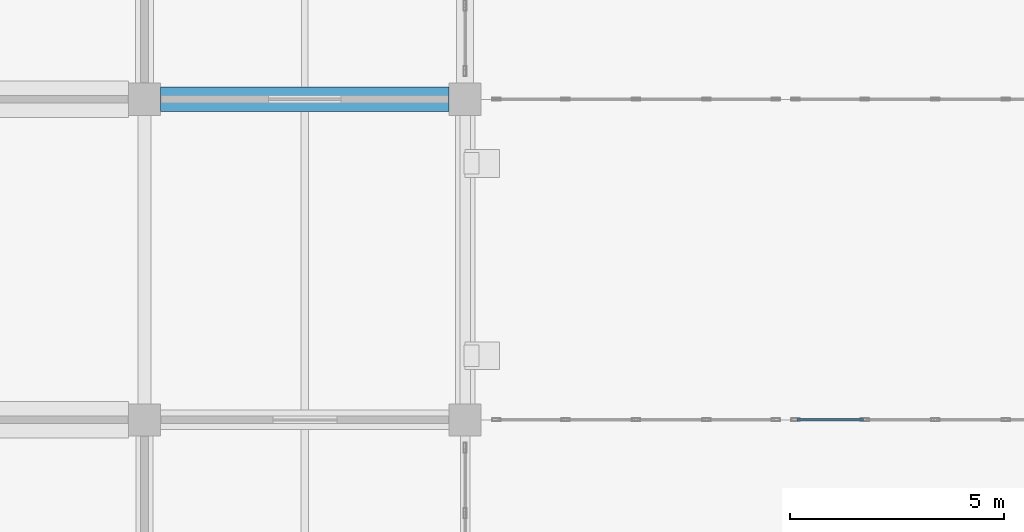
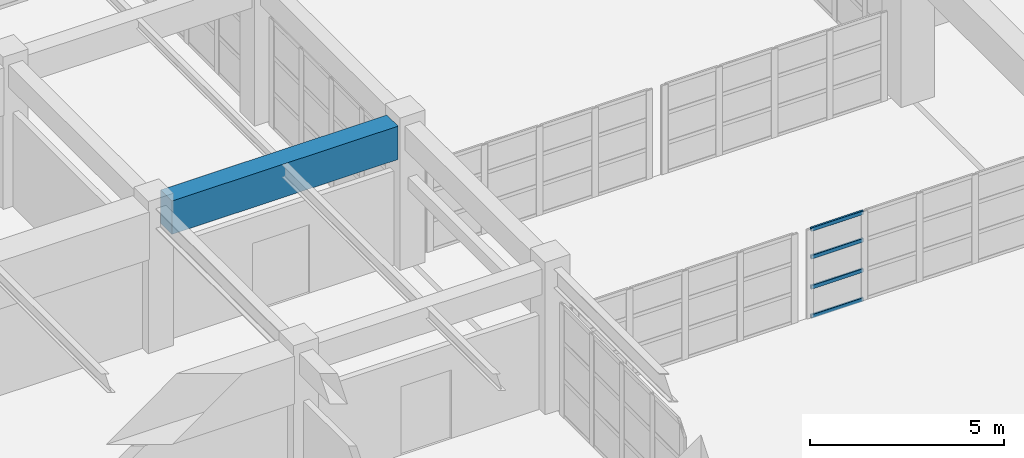
# One storey, part 16 of 122: 4 members, 1 beam, 1 element without a shape of its own.
"""IFC4 building model written with IfcOpenShell, lengths in metres."""

from ifc_helpers import new_model, si_unit, direction, frame, origin, origin_2d, place, context, subcontext, project, spatial, rectangle, hollow_rectangle, extrude, material, material_profile, profile_set, type_object, element, aggregate, save


model = new_model("IFC4")

# Units and contexts
model_context = context("Model", 3, precision=1e-05, world=origin(), true_north=direction((0.0, 1.0)))
body_context = subcontext(model_context, "Body", "Model", "MODEL_VIEW")
ifc_project = project(units=[si_unit("LENGTHUNIT", "METRE"), si_unit("AREAUNIT", "SQUARE_METRE"), si_unit("VOLUMEUNIT", "CUBIC_METRE"), si_unit("PLANEANGLEUNIT", "RADIAN"), si_unit("MASSUNIT", "GRAM", prefix="KILO")], contexts=[model_context])

# Site, building, storey
site_placement = place(None, origin())
site = spatial("IfcSite", under=ifc_project, at=site_placement, CompositionType="ELEMENT")
building_placement = place(site_placement, origin())
building = spatial("IfcBuilding", under=site, at=building_placement, Name="Qasida Concert Hall", CompositionType="ELEMENT")
storey_placement = place(building_placement, origin())
storey = spatial("IfcBuildingStorey", under=building, at=storey_placement, Name="L00", CompositionType="ELEMENT", Elevation=0.0)

# Beam
ifc_material_1 = material(Name="Concrete C50/60", Category="concrete")
ifc_material_profile_1 = material_profile(ifc_material_1, rectangle(XDim=0.580078125, YDim=1.050048828125, at=origin_2d()), Name="RC 580x1050")
ifc_profile_set_1 = profile_set([ifc_material_profile_1], Name="Concrete C50/60")
beam_type = type_object("IfcBeamType", Name="BM-G8", PredefinedType="USERDEFINED", material=ifc_profile_set_1)
beam_placement = place(storey_placement, frame((30.375, 37.5, 3.97509765625), z_axis=(1.0, 0.0, 0.0), x_axis=(0.0, 1.0, 0.0)))
element("IfcBeam", 1, at=beam_placement, inside=storey, type_object=beam_type, Name="Primary girder 0525", ObjectType="GIRDER", PredefinedType="USERDEFINED", context=body_context, shape_type="SweptSolid", body=[
    extrude(rectangle(XDim=0.580078125, YDim=1.050048828125, at=origin_2d()), origin(), (0.0, 0.0, 1.0), 6.75),
])

# Curtain wall, members
ifc_material_2 = material(Name="Architectural bronze-anodized aluminium and low-E glass", Category="aluminium")
curtain_wall_type = type_object("IfcCurtainWallType", Name="CW-08", PredefinedType="NOTDEFINED", material=ifc_material_2)
curtain_wall_placement = place(storey_placement, origin())
curtain_wall = element("IfcCurtainWall", 2, at=curtain_wall_placement, inside=storey, type_object=curtain_wall_type, Name="L00 link bridge glazing 0196", PredefinedType="NOTDEFINED")
ifc_material_3 = material(Name="Architectural bronze-anodized aluminium EN AW-6063", Category="aluminium")
ifc_material_profile_2 = material_profile(ifc_material_3, hollow_rectangle(XDim=0.06005859375, YDim=0.1201171875, WallThickness=0.00390625, InnerFilletRadius=0.00390625, OuterFilletRadius=0.008056640625, at=origin_2d()), Name="CWT 120x60x4")
ifc_profile_set_2 = profile_set([ifc_material_profile_2], Name="Architectural bronze-anodized aluminium EN AW-6063")
member_type = type_object("IfcMemberType", Name="MB-CWT-2", PredefinedType="USERDEFINED", material=ifc_profile_set_2)
member_1_placement = place(storey_placement, frame((45.264892578125, 30.0, 0.030029296875), z_axis=(1.0, 0.0, 0.0), x_axis=(0.0, 1.0, 0.0)))
member_1 = element("IfcMember", 3, at=member_1_placement, type_object=member_type, Name="CW-08 transom 1.1", ObjectType="TRANSOM", PredefinedType="USERDEFINED", context=body_context, shape_type="SweptSolid", body=[
    extrude(hollow_rectangle(XDim=0.06005859375, YDim=0.1201171875, WallThickness=0.00390625, InnerFilletRadius=0.00390625, OuterFilletRadius=0.008056640625, at=origin_2d()), origin(), (0.0, 0.0, 1.0), 1.552490234375),
])
member_2_placement = place(storey_placement, frame((45.264892578125, 30.0, 0.949951171875), z_axis=(1.0, 0.0, 0.0), x_axis=(0.0, 1.0, 0.0)))
member_2 = element("IfcMember", 4, at=member_2_placement, type_object=member_type, Name="CW-08 transom 1.2", ObjectType="TRANSOM", PredefinedType="USERDEFINED", context=body_context, shape_type="SweptSolid", body=[
    extrude(hollow_rectangle(XDim=0.06005859375, YDim=0.1201171875, WallThickness=0.00390625, InnerFilletRadius=0.00390625, OuterFilletRadius=0.008056640625, at=origin_2d()), origin(), (0.0, 0.0, 1.0), 1.552490234375),
])
member_3_placement = place(storey_placement, frame((45.264892578125, 30.0, 1.89990234375), z_axis=(1.0, 0.0, 0.0), x_axis=(0.0, 1.0, 0.0)))
member_3 = element("IfcMember", 5, at=member_3_placement, type_object=member_type, Name="CW-08 transom 1.3", ObjectType="TRANSOM", PredefinedType="USERDEFINED", context=body_context, shape_type="SweptSolid", body=[
    extrude(hollow_rectangle(XDim=0.06005859375, YDim=0.1201171875, WallThickness=0.00390625, InnerFilletRadius=0.00390625, OuterFilletRadius=0.008056640625, at=origin_2d()), origin(), (0.0, 0.0, 1.0), 1.552490234375),
])
member_4_placement = place(storey_placement, frame((45.264892578125, 30.0, 2.77001953125), z_axis=(1.0, 0.0, 0.0), x_axis=(0.0, 1.0, 0.0)))
member_4 = element("IfcMember", 6, at=member_4_placement, type_object=member_type, Name="CW-08 transom 1.4", ObjectType="TRANSOM", PredefinedType="USERDEFINED", context=body_context, shape_type="SweptSolid", body=[
    extrude(hollow_rectangle(XDim=0.06005859375, YDim=0.1201171875, WallThickness=0.00390625, InnerFilletRadius=0.00390625, OuterFilletRadius=0.008056640625, at=origin_2d()), origin(), (0.0, 0.0, 1.0), 1.552490234375),
])
aggregate(curtain_wall, [member_1, member_2, member_3, member_4])

save(model, "model.ifc")
